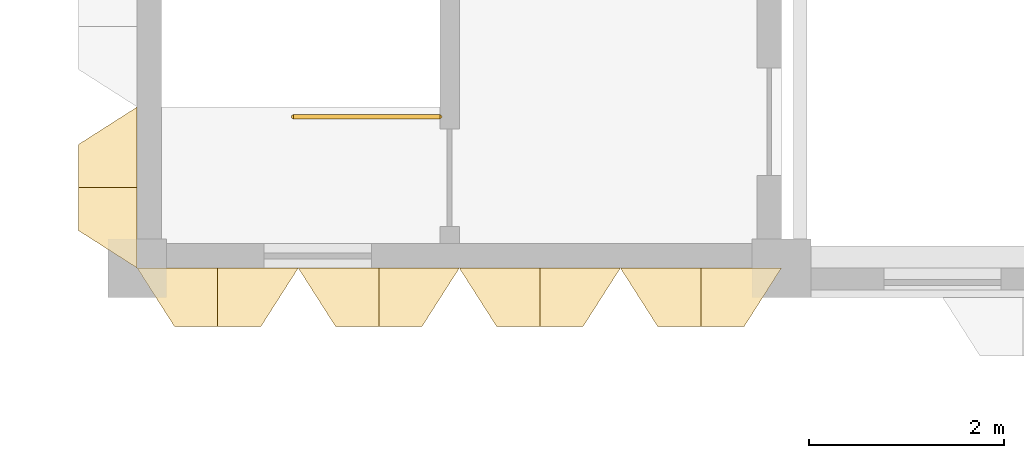
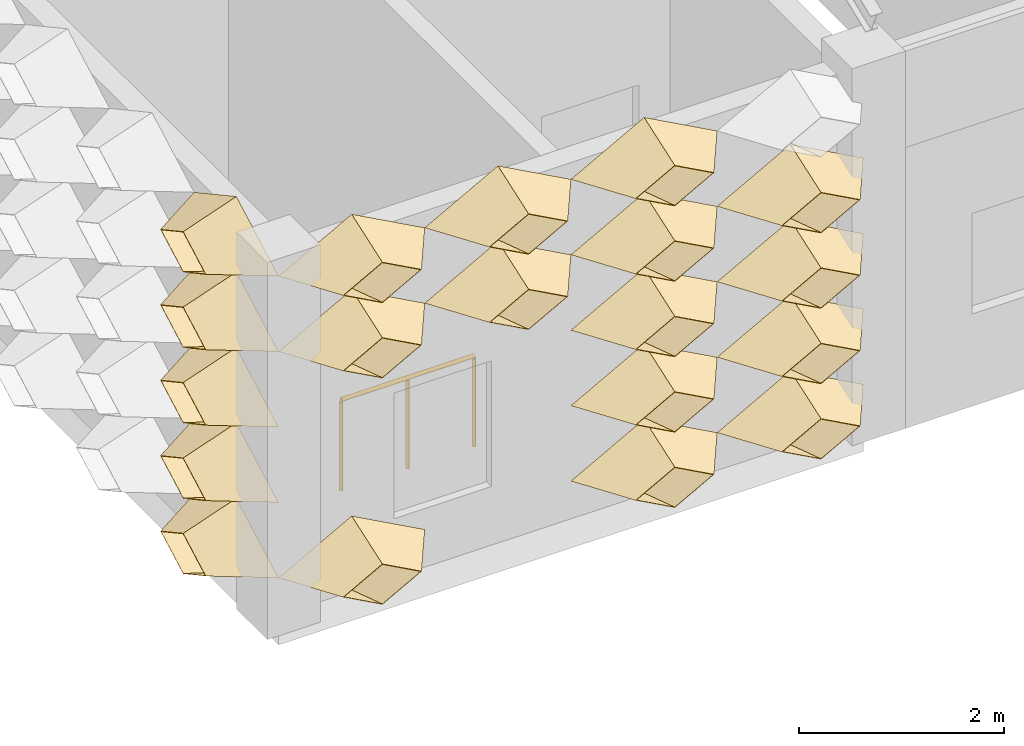
# One storey, part 69 of 102: 19 coverings, 1 railing.
"""IFC4 building model written with IfcOpenShell, lengths in metres."""

from ifc_helpers import new_model, entity, si_unit, direction, frame, origin, origin_2d, place, context, subcontext, project, spatial, circle, extrude, material, layer, layer_set, type_object, element, save


model = new_model("IFC4")

# Units and contexts
model_context = context("Model", 3, precision=1e-05, world=origin(), true_north=direction((0.0, 1.0)))
body_context = subcontext(model_context, "Body", "Model", "MODEL_VIEW")
ifc_project = project(units=[si_unit("LENGTHUNIT", "METRE"), si_unit("AREAUNIT", "SQUARE_METRE"), si_unit("VOLUMEUNIT", "CUBIC_METRE"), si_unit("PLANEANGLEUNIT", "RADIAN"), si_unit("MASSUNIT", "GRAM", prefix="KILO")], contexts=[model_context])

# Site, building, storey
site_placement = place(None, origin())
site = spatial("IfcSite", under=ifc_project, at=site_placement, CompositionType="ELEMENT")
building_placement = place(site_placement, origin())
building = spatial("IfcBuilding", under=site, at=building_placement, Name="Lantern Court Research Institute", CompositionType="ELEMENT")
storey_placement = place(building_placement, frame((0.0, 0.0, 9.89990234375)))
storey = spatial("IfcBuildingStorey", under=building, at=storey_placement, Name="L02", CompositionType="ELEMENT", Elevation=9.89990234375)

# Coverings
ifc_material_1 = material(Name="Anodised aluminium", Category="aluminium")
ifc_layer = layer(ifc_material_1, 0.01611328125)
ifc_layer_set = layer_set([ifc_layer], Name="Anodised aluminium")
covering_type = type_object("IfcCoveringType", Name="Fin cassette 1650 x 900 x 600 aluminium", PredefinedType="CLADDING", material=ifc_layer_set)
covering_1_placement = place(storey_placement, frame((0.824951171875, 49.5, 0.4501953125), z_axis=(0.0, -1.0, 0.0), x_axis=(1.0, 0.0, 0.0)))
cartesian_point_1 = entity("IfcCartesianPoint", [0.824951171875, 0.0])
cartesian_point_2 = entity("IfcCartesianPoint", [0.79150390625, 0.0])
cartesian_point_3 = entity("IfcCartesianPoint", [0.44189453125, 0.0])
cartesian_point_4 = entity("IfcCartesianPoint", [0.43359375, 0.0])
element("IfcCovering", 1, at=covering_1_placement, inside=storey, type_object=covering_type, Name="Fin cassette V3S-L02 1.1", PredefinedType="CLADDING", context=body_context, shape_type="SweptSolid", body=[
    entity("IfcExtrudedAreaSolidTapered", entity("IfcArbitraryProfileDefWithVoids", "AREA", None, entity("IfcPolyline", [cartesian_point_1, entity("IfcCartesianPoint", [0.0, 0.449951171875]), entity("IfcCartesianPoint", [-0.824951171875, 0.0]), entity("IfcCartesianPoint", [0.0, -0.449951171875]), cartesian_point_1]), [entity("IfcPolyline", [cartesian_point_2, entity("IfcCartesianPoint", [0.0, 0.431884765625]), entity("IfcCartesianPoint", [-0.79150390625, 0.0]), entity("IfcCartesianPoint", [0.0, -0.431884765625]), cartesian_point_2])]), entity("IfcAxis2Placement3D", entity("IfcCartesianPoint", [0.0, 0.0, 0.0])), entity("IfcDirection", [0.0, 0.0, 1.0]), 0.60009765625, entity("IfcArbitraryProfileDefWithVoids", "AREA", None, entity("IfcPolyline", [cartesian_point_3, entity("IfcCartesianPoint", [0.0, 0.240966796875]), entity("IfcCartesianPoint", [-0.44189453125, 0.0]), entity("IfcCartesianPoint", [0.0, -0.240966796875]), cartesian_point_3]), [entity("IfcPolyline", [cartesian_point_4, entity("IfcCartesianPoint", [0.0, 0.236572265625]), entity("IfcCartesianPoint", [-0.43359375, 0.0]), entity("IfcCartesianPoint", [0.0, -0.236572265625]), cartesian_point_4])])),
])
covering_2_placement = place(storey_placement, frame((4.125, 49.5, 0.4501953125), z_axis=(0.0, -1.0, 0.0), x_axis=(1.0, 0.0, 0.0)))
cartesian_point_5 = entity("IfcCartesianPoint", [0.824951171875, 0.0])
cartesian_point_6 = entity("IfcCartesianPoint", [0.79150390625, 0.0])
cartesian_point_7 = entity("IfcCartesianPoint", [0.44189453125, 0.0])
cartesian_point_8 = entity("IfcCartesianPoint", [0.43359375, 0.0])
element("IfcCovering", 2, at=covering_2_placement, inside=storey, type_object=covering_type, Name="Fin cassette V3S-L02 1.3", PredefinedType="CLADDING", context=body_context, shape_type="SweptSolid", body=[
    entity("IfcExtrudedAreaSolidTapered", entity("IfcArbitraryProfileDefWithVoids", "AREA", None, entity("IfcPolyline", [cartesian_point_5, entity("IfcCartesianPoint", [0.0, 0.449951171875]), entity("IfcCartesianPoint", [-0.824951171875, 0.0]), entity("IfcCartesianPoint", [0.0, -0.449951171875]), cartesian_point_5]), [entity("IfcPolyline", [cartesian_point_6, entity("IfcCartesianPoint", [0.0, 0.431884765625]), entity("IfcCartesianPoint", [-0.79150390625, 0.0]), entity("IfcCartesianPoint", [0.0, -0.431884765625]), cartesian_point_6])]), entity("IfcAxis2Placement3D", entity("IfcCartesianPoint", [0.0, 0.0, 0.0])), entity("IfcDirection", [0.0, 0.0, 1.0]), 0.60009765625, entity("IfcArbitraryProfileDefWithVoids", "AREA", None, entity("IfcPolyline", [cartesian_point_7, entity("IfcCartesianPoint", [0.0, 0.240966796875]), entity("IfcCartesianPoint", [-0.44189453125, 0.0]), entity("IfcCartesianPoint", [0.0, -0.240966796875]), cartesian_point_7]), [entity("IfcPolyline", [cartesian_point_8, entity("IfcCartesianPoint", [0.0, 0.236572265625]), entity("IfcCartesianPoint", [-0.43359375, 0.0]), entity("IfcCartesianPoint", [0.0, -0.236572265625]), cartesian_point_8])])),
])
covering_3_placement = place(storey_placement, frame((5.77490234375, 49.5, 0.4501953125), z_axis=(0.0, -1.0, 0.0), x_axis=(1.0, 0.0, 0.0)))
cartesian_point_9 = entity("IfcCartesianPoint", [0.824951171875, 0.0])
cartesian_point_10 = entity("IfcCartesianPoint", [0.79150390625, 0.0])
cartesian_point_11 = entity("IfcCartesianPoint", [0.44189453125, 0.0])
cartesian_point_12 = entity("IfcCartesianPoint", [0.43359375, 0.0])
element("IfcCovering", 3, at=covering_3_placement, inside=storey, type_object=covering_type, Name="Fin cassette V3S-L02 1.4", PredefinedType="CLADDING", context=body_context, shape_type="SweptSolid", body=[
    entity("IfcExtrudedAreaSolidTapered", entity("IfcArbitraryProfileDefWithVoids", "AREA", None, entity("IfcPolyline", [cartesian_point_9, entity("IfcCartesianPoint", [0.0, 0.449951171875]), entity("IfcCartesianPoint", [-0.824951171875, 0.0]), entity("IfcCartesianPoint", [0.0, -0.449951171875]), cartesian_point_9]), [entity("IfcPolyline", [cartesian_point_10, entity("IfcCartesianPoint", [0.0, 0.431884765625]), entity("IfcCartesianPoint", [-0.79150390625, 0.0]), entity("IfcCartesianPoint", [0.0, -0.431884765625]), cartesian_point_10])]), entity("IfcAxis2Placement3D", entity("IfcCartesianPoint", [0.0, 0.0, 0.0])), entity("IfcDirection", [0.0, 0.0, 1.0]), 0.60009765625, entity("IfcArbitraryProfileDefWithVoids", "AREA", None, entity("IfcPolyline", [cartesian_point_11, entity("IfcCartesianPoint", [0.0, 0.240966796875]), entity("IfcCartesianPoint", [-0.44189453125, 0.0]), entity("IfcCartesianPoint", [0.0, -0.240966796875]), cartesian_point_11]), [entity("IfcPolyline", [cartesian_point_12, entity("IfcCartesianPoint", [0.0, 0.236572265625]), entity("IfcCartesianPoint", [-0.43359375, 0.0]), entity("IfcCartesianPoint", [0.0, -0.236572265625]), cartesian_point_12])])),
])
covering_4_placement = place(storey_placement, frame((4.125, 49.5, 1.35009765625), z_axis=(0.0, -1.0, 0.0), x_axis=(1.0, 0.0, 0.0)))
cartesian_point_13 = entity("IfcCartesianPoint", [0.824951171875, 0.0])
cartesian_point_14 = entity("IfcCartesianPoint", [0.79150390625, 0.0])
cartesian_point_15 = entity("IfcCartesianPoint", [0.44189453125, 0.0])
cartesian_point_16 = entity("IfcCartesianPoint", [0.43359375, 0.0])
element("IfcCovering", 4, at=covering_4_placement, inside=storey, type_object=covering_type, Name="Fin cassette V3S-L02 2.3", PredefinedType="CLADDING", context=body_context, shape_type="SweptSolid", body=[
    entity("IfcExtrudedAreaSolidTapered", entity("IfcArbitraryProfileDefWithVoids", "AREA", None, entity("IfcPolyline", [cartesian_point_13, entity("IfcCartesianPoint", [0.0, 0.449951171875]), entity("IfcCartesianPoint", [-0.824951171875, 0.0]), entity("IfcCartesianPoint", [0.0, -0.449951171875]), cartesian_point_13]), [entity("IfcPolyline", [cartesian_point_14, entity("IfcCartesianPoint", [0.0, 0.431884765625]), entity("IfcCartesianPoint", [-0.79150390625, 0.0]), entity("IfcCartesianPoint", [0.0, -0.431884765625]), cartesian_point_14])]), entity("IfcAxis2Placement3D", entity("IfcCartesianPoint", [0.0, 0.0, 0.0])), entity("IfcDirection", [0.0, 0.0, 1.0]), 0.60009765625, entity("IfcArbitraryProfileDefWithVoids", "AREA", None, entity("IfcPolyline", [cartesian_point_15, entity("IfcCartesianPoint", [0.0, 0.240966796875]), entity("IfcCartesianPoint", [-0.44189453125, 0.0]), entity("IfcCartesianPoint", [0.0, -0.240966796875]), cartesian_point_15]), [entity("IfcPolyline", [cartesian_point_16, entity("IfcCartesianPoint", [0.0, 0.236572265625]), entity("IfcCartesianPoint", [-0.43359375, 0.0]), entity("IfcCartesianPoint", [0.0, -0.236572265625]), cartesian_point_16])])),
])
covering_5_placement = place(storey_placement, frame((5.77490234375, 49.5, 1.35009765625), z_axis=(0.0, -1.0, 0.0), x_axis=(1.0, 0.0, 0.0)))
cartesian_point_17 = entity("IfcCartesianPoint", [0.824951171875, 0.0])
cartesian_point_18 = entity("IfcCartesianPoint", [0.79150390625, 0.0])
cartesian_point_19 = entity("IfcCartesianPoint", [0.44189453125, 0.0])
cartesian_point_20 = entity("IfcCartesianPoint", [0.43359375, 0.0])
element("IfcCovering", 5, at=covering_5_placement, inside=storey, type_object=covering_type, Name="Fin cassette V3S-L02 2.4", PredefinedType="CLADDING", context=body_context, shape_type="SweptSolid", body=[
    entity("IfcExtrudedAreaSolidTapered", entity("IfcArbitraryProfileDefWithVoids", "AREA", None, entity("IfcPolyline", [cartesian_point_17, entity("IfcCartesianPoint", [0.0, 0.449951171875]), entity("IfcCartesianPoint", [-0.824951171875, 0.0]), entity("IfcCartesianPoint", [0.0, -0.449951171875]), cartesian_point_17]), [entity("IfcPolyline", [cartesian_point_18, entity("IfcCartesianPoint", [0.0, 0.431884765625]), entity("IfcCartesianPoint", [-0.79150390625, 0.0]), entity("IfcCartesianPoint", [0.0, -0.431884765625]), cartesian_point_18])]), entity("IfcAxis2Placement3D", entity("IfcCartesianPoint", [0.0, 0.0, 0.0])), entity("IfcDirection", [0.0, 0.0, 1.0]), 0.60009765625, entity("IfcArbitraryProfileDefWithVoids", "AREA", None, entity("IfcPolyline", [cartesian_point_19, entity("IfcCartesianPoint", [0.0, 0.240966796875]), entity("IfcCartesianPoint", [-0.44189453125, 0.0]), entity("IfcCartesianPoint", [0.0, -0.240966796875]), cartesian_point_19]), [entity("IfcPolyline", [cartesian_point_20, entity("IfcCartesianPoint", [0.0, 0.236572265625]), entity("IfcCartesianPoint", [-0.43359375, 0.0]), entity("IfcCartesianPoint", [0.0, -0.236572265625]), cartesian_point_20])])),
])
covering_6_placement = place(storey_placement, frame((4.125, 49.5, 2.25), z_axis=(0.0, -1.0, 0.0), x_axis=(1.0, 0.0, 0.0)))
cartesian_point_21 = entity("IfcCartesianPoint", [0.824951171875, 0.0])
cartesian_point_22 = entity("IfcCartesianPoint", [0.79150390625, 0.0])
cartesian_point_23 = entity("IfcCartesianPoint", [0.44189453125, 0.0])
cartesian_point_24 = entity("IfcCartesianPoint", [0.43359375, 0.0])
element("IfcCovering", 6, at=covering_6_placement, inside=storey, type_object=covering_type, Name="Fin cassette V3S-L02 3.3", PredefinedType="CLADDING", context=body_context, shape_type="SweptSolid", body=[
    entity("IfcExtrudedAreaSolidTapered", entity("IfcArbitraryProfileDefWithVoids", "AREA", None, entity("IfcPolyline", [cartesian_point_21, entity("IfcCartesianPoint", [0.0, 0.449951171875]), entity("IfcCartesianPoint", [-0.824951171875, 0.0]), entity("IfcCartesianPoint", [0.0, -0.449951171875]), cartesian_point_21]), [entity("IfcPolyline", [cartesian_point_22, entity("IfcCartesianPoint", [0.0, 0.431884765625]), entity("IfcCartesianPoint", [-0.79150390625, 0.0]), entity("IfcCartesianPoint", [0.0, -0.431884765625]), cartesian_point_22])]), entity("IfcAxis2Placement3D", entity("IfcCartesianPoint", [0.0, 0.0, 0.0])), entity("IfcDirection", [0.0, 0.0, 1.0]), 0.60009765625, entity("IfcArbitraryProfileDefWithVoids", "AREA", None, entity("IfcPolyline", [cartesian_point_23, entity("IfcCartesianPoint", [0.0, 0.240966796875]), entity("IfcCartesianPoint", [-0.44189453125, 0.0]), entity("IfcCartesianPoint", [0.0, -0.240966796875]), cartesian_point_23]), [entity("IfcPolyline", [cartesian_point_24, entity("IfcCartesianPoint", [0.0, 0.236572265625]), entity("IfcCartesianPoint", [-0.43359375, 0.0]), entity("IfcCartesianPoint", [0.0, -0.236572265625]), cartesian_point_24])])),
])
covering_7_placement = place(storey_placement, frame((5.77490234375, 49.5, 2.25), z_axis=(0.0, -1.0, 0.0), x_axis=(1.0, 0.0, 0.0)))
cartesian_point_25 = entity("IfcCartesianPoint", [0.824951171875, 0.0])
cartesian_point_26 = entity("IfcCartesianPoint", [0.79150390625, 0.0])
cartesian_point_27 = entity("IfcCartesianPoint", [0.44189453125, 0.0])
cartesian_point_28 = entity("IfcCartesianPoint", [0.43359375, 0.0])
element("IfcCovering", 7, at=covering_7_placement, inside=storey, type_object=covering_type, Name="Fin cassette V3S-L02 3.4", PredefinedType="CLADDING", context=body_context, shape_type="SweptSolid", body=[
    entity("IfcExtrudedAreaSolidTapered", entity("IfcArbitraryProfileDefWithVoids", "AREA", None, entity("IfcPolyline", [cartesian_point_25, entity("IfcCartesianPoint", [0.0, 0.449951171875]), entity("IfcCartesianPoint", [-0.824951171875, 0.0]), entity("IfcCartesianPoint", [0.0, -0.449951171875]), cartesian_point_25]), [entity("IfcPolyline", [cartesian_point_26, entity("IfcCartesianPoint", [0.0, 0.431884765625]), entity("IfcCartesianPoint", [-0.79150390625, 0.0]), entity("IfcCartesianPoint", [0.0, -0.431884765625]), cartesian_point_26])]), entity("IfcAxis2Placement3D", entity("IfcCartesianPoint", [0.0, 0.0, 0.0])), entity("IfcDirection", [0.0, 0.0, 1.0]), 0.60009765625, entity("IfcArbitraryProfileDefWithVoids", "AREA", None, entity("IfcPolyline", [cartesian_point_27, entity("IfcCartesianPoint", [0.0, 0.240966796875]), entity("IfcCartesianPoint", [-0.44189453125, 0.0]), entity("IfcCartesianPoint", [0.0, -0.240966796875]), cartesian_point_27]), [entity("IfcPolyline", [cartesian_point_28, entity("IfcCartesianPoint", [0.0, 0.236572265625]), entity("IfcCartesianPoint", [-0.43359375, 0.0]), entity("IfcCartesianPoint", [0.0, -0.236572265625]), cartesian_point_28])])),
])
covering_8_placement = place(storey_placement, frame((0.824951171875, 49.5, 3.150146484375), z_axis=(0.0, -1.0, 0.0), x_axis=(1.0, 0.0, 0.0)))
cartesian_point_29 = entity("IfcCartesianPoint", [0.824951171875, 0.0])
cartesian_point_30 = entity("IfcCartesianPoint", [0.79150390625, 0.0])
cartesian_point_31 = entity("IfcCartesianPoint", [0.44189453125, 0.0])
cartesian_point_32 = entity("IfcCartesianPoint", [0.43359375, 0.0])
element("IfcCovering", 8, at=covering_8_placement, inside=storey, type_object=covering_type, Name="Fin cassette V3S-L02 4.1", PredefinedType="CLADDING", context=body_context, shape_type="SweptSolid", body=[
    entity("IfcExtrudedAreaSolidTapered", entity("IfcArbitraryProfileDefWithVoids", "AREA", None, entity("IfcPolyline", [cartesian_point_29, entity("IfcCartesianPoint", [0.0, 0.449951171875]), entity("IfcCartesianPoint", [-0.824951171875, 0.0]), entity("IfcCartesianPoint", [0.0, -0.449951171875]), cartesian_point_29]), [entity("IfcPolyline", [cartesian_point_30, entity("IfcCartesianPoint", [0.0, 0.431884765625]), entity("IfcCartesianPoint", [-0.79150390625, 0.0]), entity("IfcCartesianPoint", [0.0, -0.431884765625]), cartesian_point_30])]), entity("IfcAxis2Placement3D", entity("IfcCartesianPoint", [0.0, 0.0, 0.0])), entity("IfcDirection", [0.0, 0.0, 1.0]), 0.60009765625, entity("IfcArbitraryProfileDefWithVoids", "AREA", None, entity("IfcPolyline", [cartesian_point_31, entity("IfcCartesianPoint", [0.0, 0.240966796875]), entity("IfcCartesianPoint", [-0.44189453125, 0.0]), entity("IfcCartesianPoint", [0.0, -0.240966796875]), cartesian_point_31]), [entity("IfcPolyline", [cartesian_point_32, entity("IfcCartesianPoint", [0.0, 0.236572265625]), entity("IfcCartesianPoint", [-0.43359375, 0.0]), entity("IfcCartesianPoint", [0.0, -0.236572265625]), cartesian_point_32])])),
])
covering_9_placement = place(storey_placement, frame((2.47509765625, 49.5, 3.150146484375), z_axis=(0.0, -1.0, 0.0), x_axis=(1.0, 0.0, 0.0)))
cartesian_point_33 = entity("IfcCartesianPoint", [0.824951171875, 0.0])
cartesian_point_34 = entity("IfcCartesianPoint", [0.79150390625, 0.0])
cartesian_point_35 = entity("IfcCartesianPoint", [0.44189453125, 0.0])
cartesian_point_36 = entity("IfcCartesianPoint", [0.43359375, 0.0])
element("IfcCovering", 9, at=covering_9_placement, inside=storey, type_object=covering_type, Name="Fin cassette V3S-L02 4.2", PredefinedType="CLADDING", context=body_context, shape_type="SweptSolid", body=[
    entity("IfcExtrudedAreaSolidTapered", entity("IfcArbitraryProfileDefWithVoids", "AREA", None, entity("IfcPolyline", [cartesian_point_33, entity("IfcCartesianPoint", [0.0, 0.449951171875]), entity("IfcCartesianPoint", [-0.824951171875, 0.0]), entity("IfcCartesianPoint", [0.0, -0.449951171875]), cartesian_point_33]), [entity("IfcPolyline", [cartesian_point_34, entity("IfcCartesianPoint", [0.0, 0.431884765625]), entity("IfcCartesianPoint", [-0.79150390625, 0.0]), entity("IfcCartesianPoint", [0.0, -0.431884765625]), cartesian_point_34])]), entity("IfcAxis2Placement3D", entity("IfcCartesianPoint", [0.0, 0.0, 0.0])), entity("IfcDirection", [0.0, 0.0, 1.0]), 0.60009765625, entity("IfcArbitraryProfileDefWithVoids", "AREA", None, entity("IfcPolyline", [cartesian_point_35, entity("IfcCartesianPoint", [0.0, 0.240966796875]), entity("IfcCartesianPoint", [-0.44189453125, 0.0]), entity("IfcCartesianPoint", [0.0, -0.240966796875]), cartesian_point_35]), [entity("IfcPolyline", [cartesian_point_36, entity("IfcCartesianPoint", [0.0, 0.236572265625]), entity("IfcCartesianPoint", [-0.43359375, 0.0]), entity("IfcCartesianPoint", [0.0, -0.236572265625]), cartesian_point_36])])),
])
covering_10_placement = place(storey_placement, frame((4.125, 49.5, 3.150146484375), z_axis=(0.0, -1.0, 0.0), x_axis=(1.0, 0.0, 0.0)))
cartesian_point_37 = entity("IfcCartesianPoint", [0.824951171875, 0.0])
cartesian_point_38 = entity("IfcCartesianPoint", [0.79150390625, 0.0])
cartesian_point_39 = entity("IfcCartesianPoint", [0.44189453125, 0.0])
cartesian_point_40 = entity("IfcCartesianPoint", [0.43359375, 0.0])
element("IfcCovering", 10, at=covering_10_placement, inside=storey, type_object=covering_type, Name="Fin cassette V3S-L02 4.3", PredefinedType="CLADDING", context=body_context, shape_type="SweptSolid", body=[
    entity("IfcExtrudedAreaSolidTapered", entity("IfcArbitraryProfileDefWithVoids", "AREA", None, entity("IfcPolyline", [cartesian_point_37, entity("IfcCartesianPoint", [0.0, 0.449951171875]), entity("IfcCartesianPoint", [-0.824951171875, 0.0]), entity("IfcCartesianPoint", [0.0, -0.449951171875]), cartesian_point_37]), [entity("IfcPolyline", [cartesian_point_38, entity("IfcCartesianPoint", [0.0, 0.431884765625]), entity("IfcCartesianPoint", [-0.79150390625, 0.0]), entity("IfcCartesianPoint", [0.0, -0.431884765625]), cartesian_point_38])]), entity("IfcAxis2Placement3D", entity("IfcCartesianPoint", [0.0, 0.0, 0.0])), entity("IfcDirection", [0.0, 0.0, 1.0]), 0.60009765625, entity("IfcArbitraryProfileDefWithVoids", "AREA", None, entity("IfcPolyline", [cartesian_point_39, entity("IfcCartesianPoint", [0.0, 0.240966796875]), entity("IfcCartesianPoint", [-0.44189453125, 0.0]), entity("IfcCartesianPoint", [0.0, -0.240966796875]), cartesian_point_39]), [entity("IfcPolyline", [cartesian_point_40, entity("IfcCartesianPoint", [0.0, 0.236572265625]), entity("IfcCartesianPoint", [-0.43359375, 0.0]), entity("IfcCartesianPoint", [0.0, -0.236572265625]), cartesian_point_40])])),
])
covering_11_placement = place(storey_placement, frame((5.77490234375, 49.5, 3.150146484375), z_axis=(0.0, -1.0, 0.0), x_axis=(1.0, 0.0, 0.0)))
cartesian_point_41 = entity("IfcCartesianPoint", [0.824951171875, 0.0])
cartesian_point_42 = entity("IfcCartesianPoint", [0.79150390625, 0.0])
cartesian_point_43 = entity("IfcCartesianPoint", [0.44189453125, 0.0])
cartesian_point_44 = entity("IfcCartesianPoint", [0.43359375, 0.0])
element("IfcCovering", 11, at=covering_11_placement, inside=storey, type_object=covering_type, Name="Fin cassette V3S-L02 4.4", PredefinedType="CLADDING", context=body_context, shape_type="SweptSolid", body=[
    entity("IfcExtrudedAreaSolidTapered", entity("IfcArbitraryProfileDefWithVoids", "AREA", None, entity("IfcPolyline", [cartesian_point_41, entity("IfcCartesianPoint", [0.0, 0.449951171875]), entity("IfcCartesianPoint", [-0.824951171875, 0.0]), entity("IfcCartesianPoint", [0.0, -0.449951171875]), cartesian_point_41]), [entity("IfcPolyline", [cartesian_point_42, entity("IfcCartesianPoint", [0.0, 0.431884765625]), entity("IfcCartesianPoint", [-0.79150390625, 0.0]), entity("IfcCartesianPoint", [0.0, -0.431884765625]), cartesian_point_42])]), entity("IfcAxis2Placement3D", entity("IfcCartesianPoint", [0.0, 0.0, 0.0])), entity("IfcDirection", [0.0, 0.0, 1.0]), 0.60009765625, entity("IfcArbitraryProfileDefWithVoids", "AREA", None, entity("IfcPolyline", [cartesian_point_43, entity("IfcCartesianPoint", [0.0, 0.240966796875]), entity("IfcCartesianPoint", [-0.44189453125, 0.0]), entity("IfcCartesianPoint", [0.0, -0.240966796875]), cartesian_point_43]), [entity("IfcPolyline", [cartesian_point_44, entity("IfcCartesianPoint", [0.0, 0.236572265625]), entity("IfcCartesianPoint", [-0.43359375, 0.0]), entity("IfcCartesianPoint", [0.0, -0.236572265625]), cartesian_point_44])])),
])
covering_12_placement = place(storey_placement, frame((0.824951171875, 49.5, 4.050048828125), z_axis=(0.0, -1.0, 0.0), x_axis=(1.0, 0.0, 0.0)))
cartesian_point_45 = entity("IfcCartesianPoint", [0.824951171875, 0.0])
cartesian_point_46 = entity("IfcCartesianPoint", [0.79150390625, 0.0])
cartesian_point_47 = entity("IfcCartesianPoint", [0.44189453125, 0.0])
cartesian_point_48 = entity("IfcCartesianPoint", [0.43359375, 0.0])
element("IfcCovering", 12, at=covering_12_placement, inside=storey, type_object=covering_type, Name="Fin cassette V3S-L02 5.1", PredefinedType="CLADDING", context=body_context, shape_type="SweptSolid", body=[
    entity("IfcExtrudedAreaSolidTapered", entity("IfcArbitraryProfileDefWithVoids", "AREA", None, entity("IfcPolyline", [cartesian_point_45, entity("IfcCartesianPoint", [0.0, 0.449951171875]), entity("IfcCartesianPoint", [-0.824951171875, 0.0]), entity("IfcCartesianPoint", [0.0, -0.449951171875]), cartesian_point_45]), [entity("IfcPolyline", [cartesian_point_46, entity("IfcCartesianPoint", [0.0, 0.431884765625]), entity("IfcCartesianPoint", [-0.79150390625, 0.0]), entity("IfcCartesianPoint", [0.0, -0.431884765625]), cartesian_point_46])]), entity("IfcAxis2Placement3D", entity("IfcCartesianPoint", [0.0, 0.0, 0.0])), entity("IfcDirection", [0.0, 0.0, 1.0]), 0.60009765625, entity("IfcArbitraryProfileDefWithVoids", "AREA", None, entity("IfcPolyline", [cartesian_point_47, entity("IfcCartesianPoint", [0.0, 0.240966796875]), entity("IfcCartesianPoint", [-0.44189453125, 0.0]), entity("IfcCartesianPoint", [0.0, -0.240966796875]), cartesian_point_47]), [entity("IfcPolyline", [cartesian_point_48, entity("IfcCartesianPoint", [0.0, 0.236572265625]), entity("IfcCartesianPoint", [-0.43359375, 0.0]), entity("IfcCartesianPoint", [0.0, -0.236572265625]), cartesian_point_48])])),
])
covering_13_placement = place(storey_placement, frame((2.47509765625, 49.5, 4.050048828125), z_axis=(0.0, -1.0, 0.0), x_axis=(1.0, 0.0, 0.0)))
cartesian_point_49 = entity("IfcCartesianPoint", [0.824951171875, 0.0])
cartesian_point_50 = entity("IfcCartesianPoint", [0.79150390625, 0.0])
cartesian_point_51 = entity("IfcCartesianPoint", [0.44189453125, 0.0])
cartesian_point_52 = entity("IfcCartesianPoint", [0.43359375, 0.0])
element("IfcCovering", 13, at=covering_13_placement, inside=storey, type_object=covering_type, Name="Fin cassette V3S-L02 5.2", PredefinedType="CLADDING", context=body_context, shape_type="SweptSolid", body=[
    entity("IfcExtrudedAreaSolidTapered", entity("IfcArbitraryProfileDefWithVoids", "AREA", None, entity("IfcPolyline", [cartesian_point_49, entity("IfcCartesianPoint", [0.0, 0.449951171875]), entity("IfcCartesianPoint", [-0.824951171875, 0.0]), entity("IfcCartesianPoint", [0.0, -0.449951171875]), cartesian_point_49]), [entity("IfcPolyline", [cartesian_point_50, entity("IfcCartesianPoint", [0.0, 0.431884765625]), entity("IfcCartesianPoint", [-0.79150390625, 0.0]), entity("IfcCartesianPoint", [0.0, -0.431884765625]), cartesian_point_50])]), entity("IfcAxis2Placement3D", entity("IfcCartesianPoint", [0.0, 0.0, 0.0])), entity("IfcDirection", [0.0, 0.0, 1.0]), 0.60009765625, entity("IfcArbitraryProfileDefWithVoids", "AREA", None, entity("IfcPolyline", [cartesian_point_51, entity("IfcCartesianPoint", [0.0, 0.240966796875]), entity("IfcCartesianPoint", [-0.44189453125, 0.0]), entity("IfcCartesianPoint", [0.0, -0.240966796875]), cartesian_point_51]), [entity("IfcPolyline", [cartesian_point_52, entity("IfcCartesianPoint", [0.0, 0.236572265625]), entity("IfcCartesianPoint", [-0.43359375, 0.0]), entity("IfcCartesianPoint", [0.0, -0.236572265625]), cartesian_point_52])])),
])
covering_14_placement = place(storey_placement, frame((4.125, 49.5, 4.050048828125), z_axis=(0.0, -1.0, 0.0), x_axis=(1.0, 0.0, 0.0)))
cartesian_point_53 = entity("IfcCartesianPoint", [0.824951171875, 0.0])
cartesian_point_54 = entity("IfcCartesianPoint", [0.79150390625, 0.0])
cartesian_point_55 = entity("IfcCartesianPoint", [0.44189453125, 0.0])
cartesian_point_56 = entity("IfcCartesianPoint", [0.43359375, 0.0])
element("IfcCovering", 14, at=covering_14_placement, inside=storey, type_object=covering_type, Name="Fin cassette V3S-L02 5.3", PredefinedType="CLADDING", context=body_context, shape_type="SweptSolid", body=[
    entity("IfcExtrudedAreaSolidTapered", entity("IfcArbitraryProfileDefWithVoids", "AREA", None, entity("IfcPolyline", [cartesian_point_53, entity("IfcCartesianPoint", [0.0, 0.449951171875]), entity("IfcCartesianPoint", [-0.824951171875, 0.0]), entity("IfcCartesianPoint", [0.0, -0.449951171875]), cartesian_point_53]), [entity("IfcPolyline", [cartesian_point_54, entity("IfcCartesianPoint", [0.0, 0.431884765625]), entity("IfcCartesianPoint", [-0.79150390625, 0.0]), entity("IfcCartesianPoint", [0.0, -0.431884765625]), cartesian_point_54])]), entity("IfcAxis2Placement3D", entity("IfcCartesianPoint", [0.0, 0.0, 0.0])), entity("IfcDirection", [0.0, 0.0, 1.0]), 0.60009765625, entity("IfcArbitraryProfileDefWithVoids", "AREA", None, entity("IfcPolyline", [cartesian_point_55, entity("IfcCartesianPoint", [0.0, 0.240966796875]), entity("IfcCartesianPoint", [-0.44189453125, 0.0]), entity("IfcCartesianPoint", [0.0, -0.240966796875]), cartesian_point_55]), [entity("IfcPolyline", [cartesian_point_56, entity("IfcCartesianPoint", [0.0, 0.236572265625]), entity("IfcCartesianPoint", [-0.43359375, 0.0]), entity("IfcCartesianPoint", [0.0, -0.236572265625]), cartesian_point_56])])),
])
covering_15_placement = place(storey_placement, frame((0.0, 50.324951171875, 0.4501953125), z_axis=(-1.0, 0.0, 0.0), x_axis=(0.0, -1.0, 0.0)))
cartesian_point_57 = entity("IfcCartesianPoint", [0.824951171875, 0.0])
cartesian_point_58 = entity("IfcCartesianPoint", [0.79150390625, 0.0])
cartesian_point_59 = entity("IfcCartesianPoint", [0.44189453125, 0.0])
cartesian_point_60 = entity("IfcCartesianPoint", [0.43359375, 0.0])
element("IfcCovering", 15, at=covering_15_placement, inside=storey, type_object=covering_type, Name="Fin cassette V3W-L02 1.31", PredefinedType="CLADDING", context=body_context, shape_type="SweptSolid", body=[
    entity("IfcExtrudedAreaSolidTapered", entity("IfcArbitraryProfileDefWithVoids", "AREA", None, entity("IfcPolyline", [cartesian_point_57, entity("IfcCartesianPoint", [0.0, 0.449951171875]), entity("IfcCartesianPoint", [-0.824951171875, 0.0]), entity("IfcCartesianPoint", [0.0, -0.449951171875]), cartesian_point_57]), [entity("IfcPolyline", [cartesian_point_58, entity("IfcCartesianPoint", [0.0, 0.431884765625]), entity("IfcCartesianPoint", [-0.79150390625, 0.0]), entity("IfcCartesianPoint", [0.0, -0.431884765625]), cartesian_point_58])]), entity("IfcAxis2Placement3D", entity("IfcCartesianPoint", [0.0, 0.0, 0.0])), entity("IfcDirection", [0.0, 0.0, 1.0]), 0.60009765625, entity("IfcArbitraryProfileDefWithVoids", "AREA", None, entity("IfcPolyline", [cartesian_point_59, entity("IfcCartesianPoint", [0.0, 0.240966796875]), entity("IfcCartesianPoint", [-0.44189453125, 0.0]), entity("IfcCartesianPoint", [0.0, -0.240966796875]), cartesian_point_59]), [entity("IfcPolyline", [cartesian_point_60, entity("IfcCartesianPoint", [0.0, 0.236572265625]), entity("IfcCartesianPoint", [-0.43359375, 0.0]), entity("IfcCartesianPoint", [0.0, -0.236572265625]), cartesian_point_60])])),
])
covering_16_placement = place(storey_placement, frame((0.0, 50.324951171875, 1.35009765625), z_axis=(-1.0, 0.0, 0.0), x_axis=(0.0, -1.0, 0.0)))
cartesian_point_61 = entity("IfcCartesianPoint", [0.824951171875, 0.0])
cartesian_point_62 = entity("IfcCartesianPoint", [0.79150390625, 0.0])
cartesian_point_63 = entity("IfcCartesianPoint", [0.44189453125, 0.0])
cartesian_point_64 = entity("IfcCartesianPoint", [0.43359375, 0.0])
element("IfcCovering", 16, at=covering_16_placement, inside=storey, type_object=covering_type, Name="Fin cassette V3W-L02 2.31", PredefinedType="CLADDING", context=body_context, shape_type="SweptSolid", body=[
    entity("IfcExtrudedAreaSolidTapered", entity("IfcArbitraryProfileDefWithVoids", "AREA", None, entity("IfcPolyline", [cartesian_point_61, entity("IfcCartesianPoint", [0.0, 0.449951171875]), entity("IfcCartesianPoint", [-0.824951171875, 0.0]), entity("IfcCartesianPoint", [0.0, -0.449951171875]), cartesian_point_61]), [entity("IfcPolyline", [cartesian_point_62, entity("IfcCartesianPoint", [0.0, 0.431884765625]), entity("IfcCartesianPoint", [-0.79150390625, 0.0]), entity("IfcCartesianPoint", [0.0, -0.431884765625]), cartesian_point_62])]), entity("IfcAxis2Placement3D", entity("IfcCartesianPoint", [0.0, 0.0, 0.0])), entity("IfcDirection", [0.0, 0.0, 1.0]), 0.60009765625, entity("IfcArbitraryProfileDefWithVoids", "AREA", None, entity("IfcPolyline", [cartesian_point_63, entity("IfcCartesianPoint", [0.0, 0.240966796875]), entity("IfcCartesianPoint", [-0.44189453125, 0.0]), entity("IfcCartesianPoint", [0.0, -0.240966796875]), cartesian_point_63]), [entity("IfcPolyline", [cartesian_point_64, entity("IfcCartesianPoint", [0.0, 0.236572265625]), entity("IfcCartesianPoint", [-0.43359375, 0.0]), entity("IfcCartesianPoint", [0.0, -0.236572265625]), cartesian_point_64])])),
])
covering_17_placement = place(storey_placement, frame((0.0, 50.324951171875, 2.25), z_axis=(-1.0, 0.0, 0.0), x_axis=(0.0, -1.0, 0.0)))
cartesian_point_65 = entity("IfcCartesianPoint", [0.824951171875, 0.0])
cartesian_point_66 = entity("IfcCartesianPoint", [0.79150390625, 0.0])
cartesian_point_67 = entity("IfcCartesianPoint", [0.44189453125, 0.0])
cartesian_point_68 = entity("IfcCartesianPoint", [0.43359375, 0.0])
element("IfcCovering", 17, at=covering_17_placement, inside=storey, type_object=covering_type, Name="Fin cassette V3W-L02 3.31", PredefinedType="CLADDING", context=body_context, shape_type="SweptSolid", body=[
    entity("IfcExtrudedAreaSolidTapered", entity("IfcArbitraryProfileDefWithVoids", "AREA", None, entity("IfcPolyline", [cartesian_point_65, entity("IfcCartesianPoint", [0.0, 0.449951171875]), entity("IfcCartesianPoint", [-0.824951171875, 0.0]), entity("IfcCartesianPoint", [0.0, -0.449951171875]), cartesian_point_65]), [entity("IfcPolyline", [cartesian_point_66, entity("IfcCartesianPoint", [0.0, 0.431884765625]), entity("IfcCartesianPoint", [-0.79150390625, 0.0]), entity("IfcCartesianPoint", [0.0, -0.431884765625]), cartesian_point_66])]), entity("IfcAxis2Placement3D", entity("IfcCartesianPoint", [0.0, 0.0, 0.0])), entity("IfcDirection", [0.0, 0.0, 1.0]), 0.60009765625, entity("IfcArbitraryProfileDefWithVoids", "AREA", None, entity("IfcPolyline", [cartesian_point_67, entity("IfcCartesianPoint", [0.0, 0.240966796875]), entity("IfcCartesianPoint", [-0.44189453125, 0.0]), entity("IfcCartesianPoint", [0.0, -0.240966796875]), cartesian_point_67]), [entity("IfcPolyline", [cartesian_point_68, entity("IfcCartesianPoint", [0.0, 0.236572265625]), entity("IfcCartesianPoint", [-0.43359375, 0.0]), entity("IfcCartesianPoint", [0.0, -0.236572265625]), cartesian_point_68])])),
])
covering_18_placement = place(storey_placement, frame((0.0, 50.324951171875, 3.150146484375), z_axis=(-1.0, 0.0, 0.0), x_axis=(0.0, -1.0, 0.0)))
cartesian_point_69 = entity("IfcCartesianPoint", [0.824951171875, 0.0])
cartesian_point_70 = entity("IfcCartesianPoint", [0.79150390625, 0.0])
cartesian_point_71 = entity("IfcCartesianPoint", [0.44189453125, 0.0])
cartesian_point_72 = entity("IfcCartesianPoint", [0.43359375, 0.0])
element("IfcCovering", 18, at=covering_18_placement, inside=storey, type_object=covering_type, Name="Fin cassette V3W-L02 4.31", PredefinedType="CLADDING", context=body_context, shape_type="SweptSolid", body=[
    entity("IfcExtrudedAreaSolidTapered", entity("IfcArbitraryProfileDefWithVoids", "AREA", None, entity("IfcPolyline", [cartesian_point_69, entity("IfcCartesianPoint", [0.0, 0.449951171875]), entity("IfcCartesianPoint", [-0.824951171875, 0.0]), entity("IfcCartesianPoint", [0.0, -0.449951171875]), cartesian_point_69]), [entity("IfcPolyline", [cartesian_point_70, entity("IfcCartesianPoint", [0.0, 0.431884765625]), entity("IfcCartesianPoint", [-0.79150390625, 0.0]), entity("IfcCartesianPoint", [0.0, -0.431884765625]), cartesian_point_70])]), entity("IfcAxis2Placement3D", entity("IfcCartesianPoint", [0.0, 0.0, 0.0])), entity("IfcDirection", [0.0, 0.0, 1.0]), 0.60009765625, entity("IfcArbitraryProfileDefWithVoids", "AREA", None, entity("IfcPolyline", [cartesian_point_71, entity("IfcCartesianPoint", [0.0, 0.240966796875]), entity("IfcCartesianPoint", [-0.44189453125, 0.0]), entity("IfcCartesianPoint", [0.0, -0.240966796875]), cartesian_point_71]), [entity("IfcPolyline", [cartesian_point_72, entity("IfcCartesianPoint", [0.0, 0.236572265625]), entity("IfcCartesianPoint", [-0.43359375, 0.0]), entity("IfcCartesianPoint", [0.0, -0.236572265625]), cartesian_point_72])])),
])
covering_19_placement = place(storey_placement, frame((0.0, 50.324951171875, 4.050048828125), z_axis=(-1.0, 0.0, 0.0), x_axis=(0.0, -1.0, 0.0)))
cartesian_point_73 = entity("IfcCartesianPoint", [0.824951171875, 0.0])
cartesian_point_74 = entity("IfcCartesianPoint", [0.79150390625, 0.0])
cartesian_point_75 = entity("IfcCartesianPoint", [0.44189453125, 0.0])
cartesian_point_76 = entity("IfcCartesianPoint", [0.43359375, 0.0])
element("IfcCovering", 19, at=covering_19_placement, inside=storey, type_object=covering_type, Name="Fin cassette V3W-L02 5.31", PredefinedType="CLADDING", context=body_context, shape_type="SweptSolid", body=[
    entity("IfcExtrudedAreaSolidTapered", entity("IfcArbitraryProfileDefWithVoids", "AREA", None, entity("IfcPolyline", [cartesian_point_73, entity("IfcCartesianPoint", [0.0, 0.449951171875]), entity("IfcCartesianPoint", [-0.824951171875, 0.0]), entity("IfcCartesianPoint", [0.0, -0.449951171875]), cartesian_point_73]), [entity("IfcPolyline", [cartesian_point_74, entity("IfcCartesianPoint", [0.0, 0.431884765625]), entity("IfcCartesianPoint", [-0.79150390625, 0.0]), entity("IfcCartesianPoint", [0.0, -0.431884765625]), cartesian_point_74])]), entity("IfcAxis2Placement3D", entity("IfcCartesianPoint", [0.0, 0.0, 0.0])), entity("IfcDirection", [0.0, 0.0, 1.0]), 0.60009765625, entity("IfcArbitraryProfileDefWithVoids", "AREA", None, entity("IfcPolyline", [cartesian_point_75, entity("IfcCartesianPoint", [0.0, 0.240966796875]), entity("IfcCartesianPoint", [-0.44189453125, 0.0]), entity("IfcCartesianPoint", [0.0, -0.240966796875]), cartesian_point_75]), [entity("IfcPolyline", [cartesian_point_76, entity("IfcCartesianPoint", [0.0, 0.236572265625]), entity("IfcCartesianPoint", [-0.43359375, 0.0]), entity("IfcCartesianPoint", [0.0, -0.236572265625]), cartesian_point_76])])),
])

# Railing
ifc_material_2 = material(Name="Structural steel S355", Category="steel")
railing_type = type_object("IfcRailingType", Name="Stair guard 1100 steel", PredefinedType="GUARDRAIL", material=ifc_material_2)
railing_placement = place(storey_placement, frame((3.10009765625, 51.050048828125, 0.0)))
element("IfcRailing", 20, at=railing_placement, inside=storey, type_object=railing_type, Name="L02 ST-C1 top well guard 1", PredefinedType="GUARDRAIL", context=body_context, shape_type="SweptSolid", body=[
    extrude(circle(Radius=0.02392578125, at=origin_2d()), frame((0.0, 0.0, 1.076171875), z_axis=(-1.0, 0.0, 0.0), x_axis=(0.0, -1.0, 0.0)), (0.0, 0.0, 1.0), 1.5),
    extrude(circle(Radius=0.02099609375, at=origin_2d()), origin(), (0.0, 0.0, 1.0), 1.052001953125),
    extrude(circle(Radius=0.02099609375, at=origin_2d()), frame((-0.75, 0.0, 0.0)), (0.0, 0.0, 1.0), 1.052001953125),
    extrude(circle(Radius=0.02099609375, at=origin_2d()), frame((-1.5, 0.0, 0.0)), (0.0, 0.0, 1.0), 1.052001953125),
])

save(model, "model.ifc")
